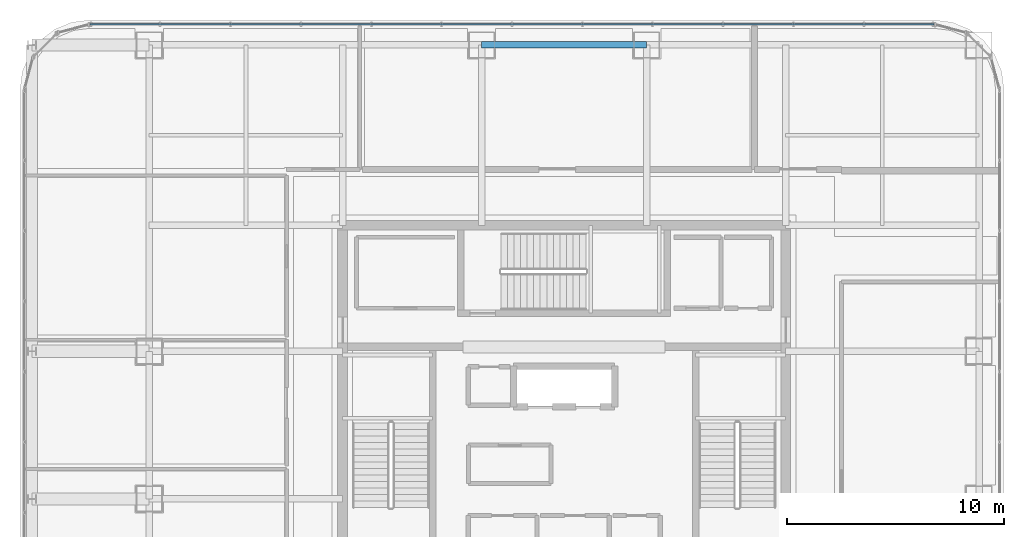
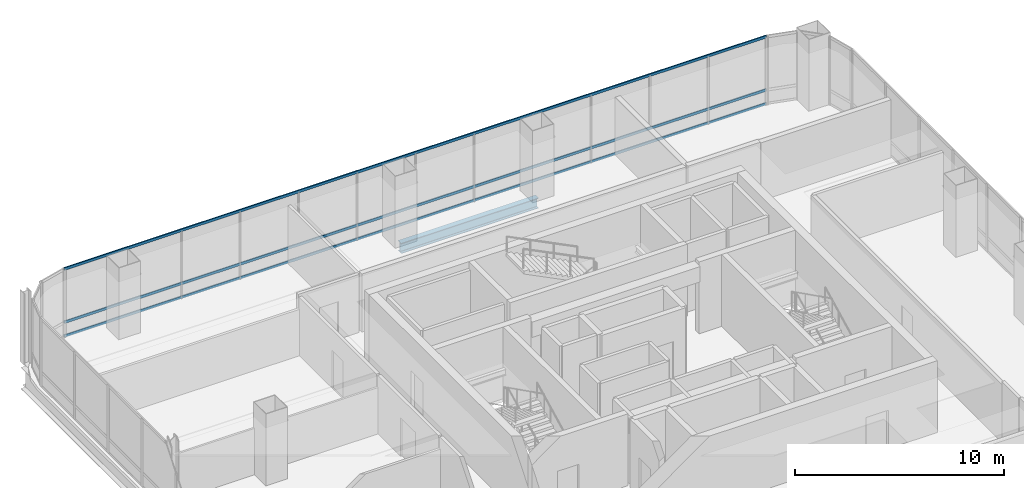
# One storey, part 28 of 42: 3 members, 1 beam, 1 element without a shape of its own.
"""IFC4 building model written with IfcOpenShell, lengths in metres."""

from ifc_helpers import new_model, si_unit, direction, frame, origin, origin_2d, place, context, subcontext, project, spatial, hollow_rectangle, i_section, extrude, material, material_profile, profile_set, type_object, element, aggregate, save


model = new_model("IFC4")

# Units and contexts
model_context = context("Model", 3, precision=1e-05, world=origin(), true_north=direction((0.0, 1.0)))
body_context = subcontext(model_context, "Body", "Model", "MODEL_VIEW")
ifc_project = project(units=[si_unit("LENGTHUNIT", "METRE"), si_unit("AREAUNIT", "SQUARE_METRE"), si_unit("VOLUMEUNIT", "CUBIC_METRE"), si_unit("PLANEANGLEUNIT", "RADIAN"), si_unit("MASSUNIT", "GRAM", prefix="KILO")], contexts=[model_context])

# Site, building, storey
site_placement = place(None, origin())
site = spatial("IfcSite", under=ifc_project, at=site_placement, CompositionType="ELEMENT")
building_placement = place(site_placement, origin())
building = spatial("IfcBuilding", under=site, at=building_placement, Name="Punatoya Terracotta Tower", CompositionType="ELEMENT")
storey_placement = place(building_placement, frame((0.0, 0.0, 325.800048828125)))
storey = spatial("IfcBuildingStorey", under=building, at=storey_placement, Name="L77", CompositionType="ELEMENT", Elevation=325.800048828125)

# Beam
ifc_material_1 = material(Name="Steel S355", Category="steel")
ifc_material_profile_1 = material_profile(ifc_material_1, i_section(OverallWidth=0.300048828125, OverallDepth=0.60009765625, WebThickness=0.015380859375, FlangeThickness=0.030029296875, FilletRadius=0.01806640625, at=origin_2d()))
ifc_profile_set_1 = profile_set([ifc_material_profile_1], Name="Steel S355")
beam_type = type_object("IfcBeamType", Name="BM-PRI-600", PredefinedType="BEAM", material=ifc_profile_set_1)
beam_placement = place(storey_placement, frame((-3.800048828125, 17.5, -0.5), z_axis=(1.0, 0.0, 0.0), x_axis=(0.0, 1.0, 0.0)))
element("IfcBeam", 1, at=beam_placement, inside=storey, type_object=beam_type, Name="BM-L77-RG-N2", PredefinedType="BEAM", context=body_context, shape_type="SweptSolid", body=[
    extrude(i_section(OverallWidth=0.300048828125, OverallDepth=0.60009765625, WebThickness=0.015380859375, FlangeThickness=0.030029296875, FilletRadius=0.01806640625, at=origin_2d()), origin(), (0.0, 0.0, 1.0), 7.60009765625),
])

# Curtain wall, members
ifc_material_2 = material(Name="Aluminium 6063-T6 + Double Low-E Glass", Category="aluminium")
curtain_wall_type = type_object("IfcCurtainWallType", Name="CW-OBS", PredefinedType="NOTDEFINED", material=ifc_material_2)
curtain_wall_placement = place(storey_placement, origin())
curtain_wall = element("IfcCurtainWall", 2, at=curtain_wall_placement, inside=storey, type_object=curtain_wall_type, Name="L77 Curtain Wall CW-L77-N09-1", PredefinedType="NOTDEFINED")
ifc_material_3 = material(Name="Aluminium 6063-T6", Category="aluminium")
ifc_material_profile_2 = material_profile(ifc_material_3, hollow_rectangle(XDim=0.068115234375, YDim=0.14990234375, WallThickness=0.00390625, at=origin_2d()))
ifc_profile_set_2 = profile_set([ifc_material_profile_2], Name="Aluminium 6063-T6")
member_type = type_object("IfcMemberType", Name="CW-TRN-TYP", PredefinedType="USERDEFINED", material=ifc_profile_set_2)
member_1_placement = place(storey_placement, frame((17.036865234375, 18.449951171875, 0.0400390625), z_axis=(-1.0, 0.0, 0.0), x_axis=(0.0, -1.0, 0.0)))
member_1 = element("IfcMember", 3, at=member_1_placement, type_object=member_type, Name="CW-L77-N09-1 Transom 1", ObjectType="TRANSOM", PredefinedType="USERDEFINED", context=body_context, shape_type="SweptSolid", body=[
    extrude(hollow_rectangle(XDim=0.068115234375, YDim=0.14990234375, WallThickness=0.00390625, at=origin_2d()), origin(), (0.0, 0.0, 1.0), 38.873779296875),
])
member_2_placement = place(storey_placement, frame((17.036865234375, 18.449951171875, 0.849853515625), z_axis=(-1.0, 0.0, 0.0), x_axis=(0.0, -1.0, 0.0)))
member_2 = element("IfcMember", 4, at=member_2_placement, type_object=member_type, Name="CW-L77-N09-1 Transom 2", ObjectType="TRANSOM", PredefinedType="USERDEFINED", context=body_context, shape_type="SweptSolid", body=[
    extrude(hollow_rectangle(XDim=0.068115234375, YDim=0.14990234375, WallThickness=0.00390625, at=origin_2d()), origin(), (0.0, 0.0, 1.0), 38.873779296875),
])
member_3_placement = place(storey_placement, frame((17.036865234375, 18.449951171875, 3.9599609375), z_axis=(-1.0, 0.0, 0.0), x_axis=(0.0, -1.0, 0.0)))
member_3 = element("IfcMember", 5, at=member_3_placement, type_object=member_type, Name="CW-L77-N09-1 Transom 3", ObjectType="TRANSOM", PredefinedType="USERDEFINED", context=body_context, shape_type="SweptSolid", body=[
    extrude(hollow_rectangle(XDim=0.068115234375, YDim=0.14990234375, WallThickness=0.00390625, at=origin_2d()), origin(), (0.0, 0.0, 1.0), 38.873779296875),
])
aggregate(curtain_wall, [member_1, member_2, member_3])

save(model, "model.ifc")
